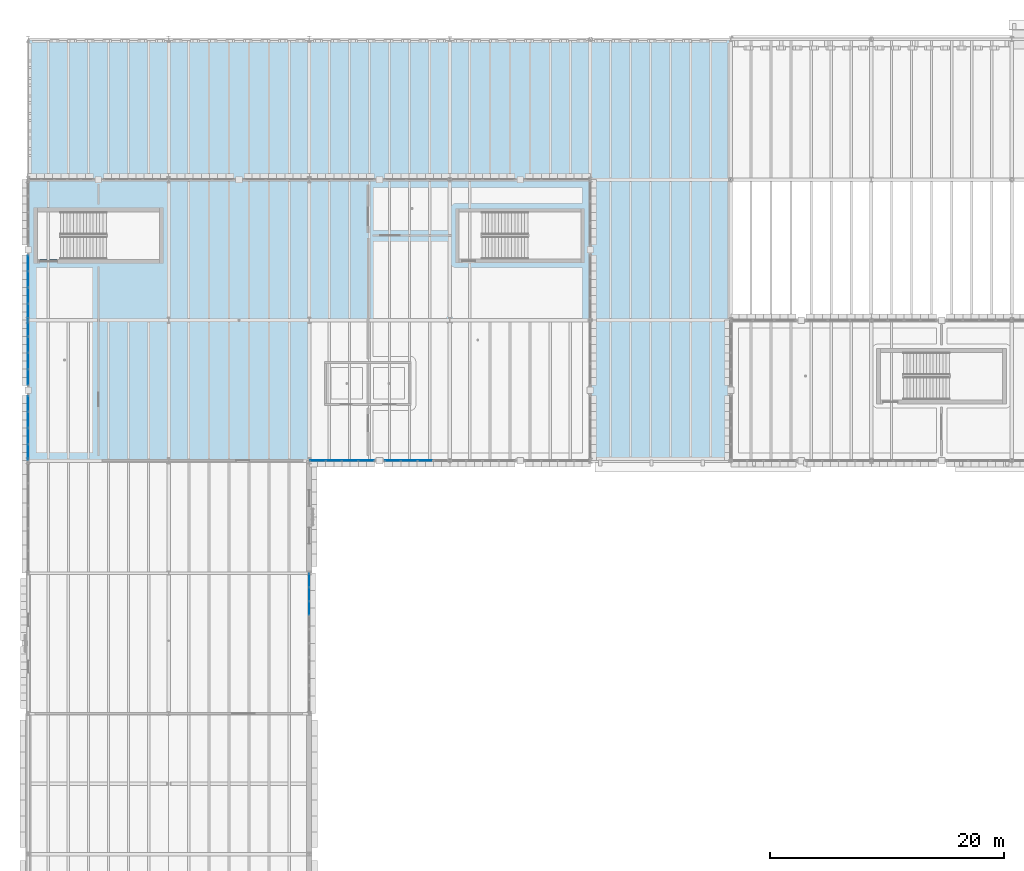
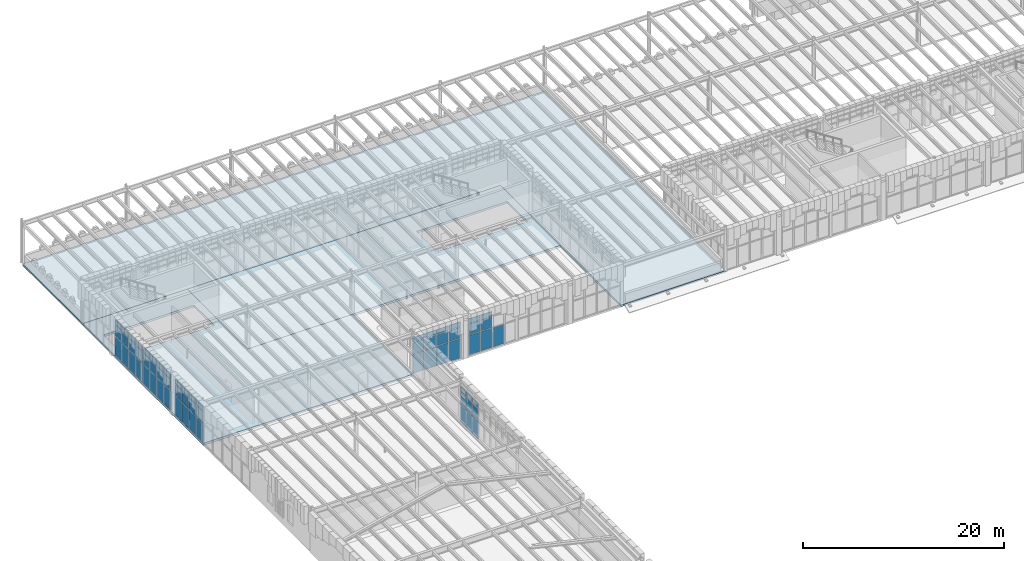
# One storey, part 46 of 100: 64 plates, 3 slabs, 6 elements without a shape of their own.
"""IFC4 building model written with IfcOpenShell, lengths in metres."""

from ifc_helpers import new_model, si_unit, direction, frame, origin, origin_2d, place, context, subcontext, project, spatial, polyline, rectangle, outline, extrude, material, layer, layer_set, type_object, element, aggregate, save


model = new_model("IFC4")

# Units and contexts
model_context = context("Model", 3, precision=1e-05, world=origin(), true_north=direction((0.0, 1.0)))
body_context = subcontext(model_context, "Body", "Model", "MODEL_VIEW")
ifc_project = project(units=[si_unit("LENGTHUNIT", "METRE"), si_unit("AREAUNIT", "SQUARE_METRE"), si_unit("VOLUMEUNIT", "CUBIC_METRE"), si_unit("PLANEANGLEUNIT", "RADIAN"), si_unit("MASSUNIT", "GRAM", prefix="KILO")], contexts=[model_context])

# Site, building, storey
site_placement = place(None, origin())
site = spatial("IfcSite", under=ifc_project, at=site_placement, CompositionType="ELEMENT")
building_placement = place(site_placement, origin())
building = spatial("IfcBuilding", under=site, at=building_placement, Name="Zlatogorsky Bluff Art Gallery", CompositionType="ELEMENT")
storey_placement = place(building_placement, frame((0.0, 0.0, 5.39990234375)))
storey = spatial("IfcBuildingStorey", under=building, at=storey_placement, Name="L01", CompositionType="ELEMENT", Elevation=5.39990234375)

# Curtain wall, plates
ifc_material_1 = material(Name="Anodised Bronze Aluminium and Low-Iron Triple Glazing", Category="aluminium")
ifc_layer_1 = layer(ifc_material_1, 0.179931640625)
ifc_layer_set_1 = layer_set([ifc_layer_1], Name="Curtain Wall CW-01")
curtain_wall_type_1 = type_object("IfcCurtainWallType", Name="Curtain Wall CW-01", PredefinedType="USERDEFINED", material=ifc_layer_set_1)
curtain_wall_1_placement = place(storey_placement, origin())
curtain_wall_1 = element("IfcCurtainWall", 1, at=curtain_wall_1_placement, inside=storey, type_object=curtain_wall_type_1, Name="Unitised curtain wall CW-01 L01 W 0.8-A", ObjectType="CURTAIN WALL", PredefinedType="USERDEFINED")
ifc_material_2 = material(Name="Low-Iron Laminated Triple Glazing", Category="glass")
ifc_layer_2 = layer(ifc_material_2, 0.035888671875)
ifc_layer_set_2 = layer_set([ifc_layer_2], Name="Glazed Curtain Panel CWP-01")
plate_type = type_object("IfcPlateType", Name="Glazed Curtain Panel CWP-01", PredefinedType="CURTAIN_PANEL", material=ifc_layer_set_2)
plate_1_placement = place(storey_placement, frame((0.0, 95.2861328125, 0.065185546875), z_axis=(0.0, 0.0, 1.0), x_axis=(0.0, -1.0, 0.0)))
plate_1 = element("IfcPlate", 2, at=plate_1_placement, type_object=plate_type, Name="CW-01 panel 1.1", PredefinedType="CURTAIN_PANEL", context=body_context, shape_type="SweptSolid", body=[
    extrude(rectangle(XDim=1.297607421875, YDim=0.035888671875, at=origin_2d()), origin(), (0.0, 0.0, 1.0), 2.3525390625),
])
plate_2_placement = place(storey_placement, frame((0.0, 95.2861328125, 2.482666015625), z_axis=(0.0, 0.0, 1.0), x_axis=(0.0, -1.0, 0.0)))
plate_2 = element("IfcPlate", 3, at=plate_2_placement, type_object=plate_type, Name="CW-01 panel 1.2", PredefinedType="CURTAIN_PANEL", context=body_context, shape_type="SweptSolid", body=[
    extrude(rectangle(XDim=1.297607421875, YDim=0.035888671875, at=origin_2d()), origin(), (0.0, 0.0, 1.0), 1.3349609375),
])
plate_3_placement = place(storey_placement, frame((0.0, 95.2861328125, 3.882568359375), z_axis=(0.0, 0.0, 1.0), x_axis=(0.0, -1.0, 0.0)))
plate_3 = element("IfcPlate", 4, at=plate_3_placement, type_object=plate_type, Name="CW-01 panel 1.3", PredefinedType="CURTAIN_PANEL", context=body_context, shape_type="SweptSolid", body=[
    extrude(rectangle(XDim=1.297607421875, YDim=0.035888671875, at=origin_2d()), origin(), (0.0, 0.0, 1.0), 0.58251953125),
])
plate_4_placement = place(storey_placement, frame((0.0, 93.907470703125, 0.065185546875), z_axis=(0.0, 0.0, 1.0), x_axis=(0.0, -1.0, 0.0)))
plate_4 = element("IfcPlate", 5, at=plate_4_placement, type_object=plate_type, Name="CW-01 panel 2.1", PredefinedType="CURTAIN_PANEL", context=body_context, shape_type="SweptSolid", body=[
    extrude(rectangle(XDim=1.330078125, YDim=0.035888671875, at=origin_2d()), origin(), (0.0, 0.0, 1.0), 2.3525390625),
])
plate_5_placement = place(storey_placement, frame((0.0, 93.907470703125, 2.482666015625), z_axis=(0.0, 0.0, 1.0), x_axis=(0.0, -1.0, 0.0)))
plate_5 = element("IfcPlate", 6, at=plate_5_placement, type_object=plate_type, Name="CW-01 panel 2.2", PredefinedType="CURTAIN_PANEL", context=body_context, shape_type="SweptSolid", body=[
    extrude(rectangle(XDim=1.330078125, YDim=0.035888671875, at=origin_2d()), origin(), (0.0, 0.0, 1.0), 1.3349609375),
])
plate_6_placement = place(storey_placement, frame((0.0, 93.907470703125, 3.882568359375), z_axis=(0.0, 0.0, 1.0), x_axis=(0.0, -1.0, 0.0)))
plate_6 = element("IfcPlate", 7, at=plate_6_placement, type_object=plate_type, Name="CW-01 panel 2.3", PredefinedType="CURTAIN_PANEL", context=body_context, shape_type="SweptSolid", body=[
    extrude(rectangle(XDim=1.330078125, YDim=0.035888671875, at=origin_2d()), origin(), (0.0, 0.0, 1.0), 0.58251953125),
])
plate_7_placement = place(storey_placement, frame((0.0, 92.512451171875, 0.065185546875), z_axis=(0.0, 0.0, 1.0), x_axis=(0.0, -1.0, 0.0)))
plate_7 = element("IfcPlate", 8, at=plate_7_placement, type_object=plate_type, Name="CW-01 panel 3.1", PredefinedType="CURTAIN_PANEL", context=body_context, shape_type="SweptSolid", body=[
    extrude(rectangle(XDim=1.330078125, YDim=0.035888671875, at=origin_2d()), origin(), (0.0, 0.0, 1.0), 2.3525390625),
])
plate_8_placement = place(storey_placement, frame((0.0, 92.512451171875, 2.482666015625), z_axis=(0.0, 0.0, 1.0), x_axis=(0.0, -1.0, 0.0)))
plate_8 = element("IfcPlate", 9, at=plate_8_placement, type_object=plate_type, Name="CW-01 panel 3.2", PredefinedType="CURTAIN_PANEL", context=body_context, shape_type="SweptSolid", body=[
    extrude(rectangle(XDim=1.330078125, YDim=0.035888671875, at=origin_2d()), origin(), (0.0, 0.0, 1.0), 1.3349609375),
])
plate_9_placement = place(storey_placement, frame((0.0, 92.512451171875, 3.882568359375), z_axis=(0.0, 0.0, 1.0), x_axis=(0.0, -1.0, 0.0)))
plate_9 = element("IfcPlate", 10, at=plate_9_placement, type_object=plate_type, Name="CW-01 panel 3.3", PredefinedType="CURTAIN_PANEL", context=body_context, shape_type="SweptSolid", body=[
    extrude(rectangle(XDim=1.330078125, YDim=0.035888671875, at=origin_2d()), origin(), (0.0, 0.0, 1.0), 0.58251953125),
])
plate_10_placement = place(storey_placement, frame((0.0, 91.1337890625, 0.065185546875), z_axis=(0.0, 0.0, 1.0), x_axis=(0.0, -1.0, 0.0)))
plate_10 = element("IfcPlate", 11, at=plate_10_placement, type_object=plate_type, Name="CW-01 panel 4.1", PredefinedType="CURTAIN_PANEL", context=body_context, shape_type="SweptSolid", body=[
    extrude(rectangle(XDim=1.297607421875, YDim=0.035888671875, at=origin_2d()), origin(), (0.0, 0.0, 1.0), 2.3525390625),
])
plate_11_placement = place(storey_placement, frame((0.0, 91.1337890625, 2.482666015625), z_axis=(0.0, 0.0, 1.0), x_axis=(0.0, -1.0, 0.0)))
plate_11 = element("IfcPlate", 12, at=plate_11_placement, type_object=plate_type, Name="CW-01 panel 4.2", PredefinedType="CURTAIN_PANEL", context=body_context, shape_type="SweptSolid", body=[
    extrude(rectangle(XDim=1.297607421875, YDim=0.035888671875, at=origin_2d()), origin(), (0.0, 0.0, 1.0), 1.3349609375),
])
plate_12_placement = place(storey_placement, frame((0.0, 91.1337890625, 3.882568359375), z_axis=(0.0, 0.0, 1.0), x_axis=(0.0, -1.0, 0.0)))
plate_12 = element("IfcPlate", 13, at=plate_12_placement, type_object=plate_type, Name="CW-01 panel 4.3", PredefinedType="CURTAIN_PANEL", context=body_context, shape_type="SweptSolid", body=[
    extrude(rectangle(XDim=1.297607421875, YDim=0.035888671875, at=origin_2d()), origin(), (0.0, 0.0, 1.0), 0.58251953125),
])
aggregate(curtain_wall_1, [plate_1, plate_2, plate_3, plate_4, plate_5, plate_6, plate_7, plate_8, plate_9, plate_10, plate_11, plate_12])

curtain_wall_2_placement = place(storey_placement, origin())
curtain_wall_2 = element("IfcCurtainWall", 14, at=curtain_wall_2_placement, inside=storey, type_object=curtain_wall_type_1, Name="Unitised curtain wall CW-01 L01 W 0.8-B", ObjectType="CURTAIN WALL", PredefinedType="USERDEFINED")
plate_13_placement = place(storey_placement, frame((0.0, 88.8662109375, 0.065185546875), z_axis=(0.0, 0.0, 1.0), x_axis=(0.0, -1.0, 0.0)))
plate_13 = element("IfcPlate", 15, at=plate_13_placement, type_object=plate_type, Name="CW-01 panel 1.1", PredefinedType="CURTAIN_PANEL", context=body_context, shape_type="SweptSolid", body=[
    extrude(rectangle(XDim=1.297607421875, YDim=0.035888671875, at=origin_2d()), origin(), (0.0, 0.0, 1.0), 2.3525390625),
])
plate_14_placement = place(storey_placement, frame((0.0, 88.8662109375, 2.482666015625), z_axis=(0.0, 0.0, 1.0), x_axis=(0.0, -1.0, 0.0)))
plate_14 = element("IfcPlate", 16, at=plate_14_placement, type_object=plate_type, Name="CW-01 panel 1.2", PredefinedType="CURTAIN_PANEL", context=body_context, shape_type="SweptSolid", body=[
    extrude(rectangle(XDim=1.297607421875, YDim=0.035888671875, at=origin_2d()), origin(), (0.0, 0.0, 1.0), 1.3349609375),
])
plate_15_placement = place(storey_placement, frame((0.0, 88.8662109375, 3.882568359375), z_axis=(0.0, 0.0, 1.0), x_axis=(0.0, -1.0, 0.0)))
plate_15 = element("IfcPlate", 17, at=plate_15_placement, type_object=plate_type, Name="CW-01 panel 1.3", PredefinedType="CURTAIN_PANEL", context=body_context, shape_type="SweptSolid", body=[
    extrude(rectangle(XDim=1.297607421875, YDim=0.035888671875, at=origin_2d()), origin(), (0.0, 0.0, 1.0), 0.58251953125),
])
plate_16_placement = place(storey_placement, frame((0.0, 87.487548828125, 0.065185546875), z_axis=(0.0, 0.0, 1.0), x_axis=(0.0, -1.0, 0.0)))
plate_16 = element("IfcPlate", 18, at=plate_16_placement, type_object=plate_type, Name="CW-01 panel 2.1", PredefinedType="CURTAIN_PANEL", context=body_context, shape_type="SweptSolid", body=[
    extrude(rectangle(XDim=1.330078125, YDim=0.035888671875, at=origin_2d()), origin(), (0.0, 0.0, 1.0), 2.3525390625),
])
plate_17_placement = place(storey_placement, frame((0.0, 87.487548828125, 2.482666015625), z_axis=(0.0, 0.0, 1.0), x_axis=(0.0, -1.0, 0.0)))
plate_17 = element("IfcPlate", 19, at=plate_17_placement, type_object=plate_type, Name="CW-01 panel 2.2", PredefinedType="CURTAIN_PANEL", context=body_context, shape_type="SweptSolid", body=[
    extrude(rectangle(XDim=1.330078125, YDim=0.035888671875, at=origin_2d()), origin(), (0.0, 0.0, 1.0), 1.3349609375),
])
plate_18_placement = place(storey_placement, frame((0.0, 87.487548828125, 3.882568359375), z_axis=(0.0, 0.0, 1.0), x_axis=(0.0, -1.0, 0.0)))
plate_18 = element("IfcPlate", 20, at=plate_18_placement, type_object=plate_type, Name="CW-01 panel 2.3", PredefinedType="CURTAIN_PANEL", context=body_context, shape_type="SweptSolid", body=[
    extrude(rectangle(XDim=1.330078125, YDim=0.035888671875, at=origin_2d()), origin(), (0.0, 0.0, 1.0), 0.58251953125),
])
plate_19_placement = place(storey_placement, frame((0.0, 86.092529296875, 0.065185546875), z_axis=(0.0, 0.0, 1.0), x_axis=(0.0, -1.0, 0.0)))
plate_19 = element("IfcPlate", 21, at=plate_19_placement, type_object=plate_type, Name="CW-01 panel 3.1", PredefinedType="CURTAIN_PANEL", context=body_context, shape_type="SweptSolid", body=[
    extrude(rectangle(XDim=1.330078125, YDim=0.035888671875, at=origin_2d()), origin(), (0.0, 0.0, 1.0), 2.3525390625),
])
plate_20_placement = place(storey_placement, frame((0.0, 86.092529296875, 2.482666015625), z_axis=(0.0, 0.0, 1.0), x_axis=(0.0, -1.0, 0.0)))
plate_20 = element("IfcPlate", 22, at=plate_20_placement, type_object=plate_type, Name="CW-01 panel 3.2", PredefinedType="CURTAIN_PANEL", context=body_context, shape_type="SweptSolid", body=[
    extrude(rectangle(XDim=1.330078125, YDim=0.035888671875, at=origin_2d()), origin(), (0.0, 0.0, 1.0), 1.3349609375),
])
plate_21_placement = place(storey_placement, frame((0.0, 86.092529296875, 3.882568359375), z_axis=(0.0, 0.0, 1.0), x_axis=(0.0, -1.0, 0.0)))
plate_21 = element("IfcPlate", 23, at=plate_21_placement, type_object=plate_type, Name="CW-01 panel 3.3", PredefinedType="CURTAIN_PANEL", context=body_context, shape_type="SweptSolid", body=[
    extrude(rectangle(XDim=1.330078125, YDim=0.035888671875, at=origin_2d()), origin(), (0.0, 0.0, 1.0), 0.58251953125),
])
plate_22_placement = place(storey_placement, frame((0.0, 84.7138671875, 0.065185546875), z_axis=(0.0, 0.0, 1.0), x_axis=(0.0, -1.0, 0.0)))
plate_22 = element("IfcPlate", 24, at=plate_22_placement, type_object=plate_type, Name="CW-01 panel 4.1", PredefinedType="CURTAIN_PANEL", context=body_context, shape_type="SweptSolid", body=[
    extrude(rectangle(XDim=1.297607421875, YDim=0.035888671875, at=origin_2d()), origin(), (0.0, 0.0, 1.0), 2.3525390625),
])
plate_23_placement = place(storey_placement, frame((0.0, 84.7138671875, 2.482666015625), z_axis=(0.0, 0.0, 1.0), x_axis=(0.0, -1.0, 0.0)))
plate_23 = element("IfcPlate", 25, at=plate_23_placement, type_object=plate_type, Name="CW-01 panel 4.2", PredefinedType="CURTAIN_PANEL", context=body_context, shape_type="SweptSolid", body=[
    extrude(rectangle(XDim=1.297607421875, YDim=0.035888671875, at=origin_2d()), origin(), (0.0, 0.0, 1.0), 1.3349609375),
])
plate_24_placement = place(storey_placement, frame((0.0, 84.7138671875, 3.882568359375), z_axis=(0.0, 0.0, 1.0), x_axis=(0.0, -1.0, 0.0)))
plate_24 = element("IfcPlate", 26, at=plate_24_placement, type_object=plate_type, Name="CW-01 panel 4.3", PredefinedType="CURTAIN_PANEL", context=body_context, shape_type="SweptSolid", body=[
    extrude(rectangle(XDim=1.297607421875, YDim=0.035888671875, at=origin_2d()), origin(), (0.0, 0.0, 1.0), 0.58251953125),
])
aggregate(curtain_wall_2, [plate_13, plate_14, plate_15, plate_16, plate_17, plate_18, plate_19, plate_20, plate_21, plate_22, plate_23, plate_24])

curtain_wall_3_placement = place(storey_placement, origin())
curtain_wall_3 = element("IfcCurtainWall", 27, at=curtain_wall_3_placement, inside=storey, type_object=curtain_wall_type_1, Name="Unitised curtain wall CW-01 L01 W 0.9-B", ObjectType="CURTAIN WALL", PredefinedType="USERDEFINED")
plate_25_placement = place(storey_placement, frame((0.0, 100.8662109375, 0.065185546875), z_axis=(0.0, 0.0, 1.0), x_axis=(0.0, -1.0, 0.0)))
plate_25 = element("IfcPlate", 28, at=plate_25_placement, type_object=plate_type, Name="CW-01 panel 1.1", PredefinedType="CURTAIN_PANEL", context=body_context, shape_type="SweptSolid", body=[
    extrude(rectangle(XDim=1.297607421875, YDim=0.035888671875, at=origin_2d()), origin(), (0.0, 0.0, 1.0), 2.3525390625),
])
plate_26_placement = place(storey_placement, frame((0.0, 100.8662109375, 2.482666015625), z_axis=(0.0, 0.0, 1.0), x_axis=(0.0, -1.0, 0.0)))
plate_26 = element("IfcPlate", 29, at=plate_26_placement, type_object=plate_type, Name="CW-01 panel 1.2", PredefinedType="CURTAIN_PANEL", context=body_context, shape_type="SweptSolid", body=[
    extrude(rectangle(XDim=1.297607421875, YDim=0.035888671875, at=origin_2d()), origin(), (0.0, 0.0, 1.0), 1.3349609375),
])
plate_27_placement = place(storey_placement, frame((0.0, 100.8662109375, 3.882568359375), z_axis=(0.0, 0.0, 1.0), x_axis=(0.0, -1.0, 0.0)))
plate_27 = element("IfcPlate", 30, at=plate_27_placement, type_object=plate_type, Name="CW-01 panel 1.3", PredefinedType="CURTAIN_PANEL", context=body_context, shape_type="SweptSolid", body=[
    extrude(rectangle(XDim=1.297607421875, YDim=0.035888671875, at=origin_2d()), origin(), (0.0, 0.0, 1.0), 0.58251953125),
])
plate_28_placement = place(storey_placement, frame((0.0, 99.487548828125, 0.065185546875), z_axis=(0.0, 0.0, 1.0), x_axis=(0.0, -1.0, 0.0)))
plate_28 = element("IfcPlate", 31, at=plate_28_placement, type_object=plate_type, Name="CW-01 panel 2.1", PredefinedType="CURTAIN_PANEL", context=body_context, shape_type="SweptSolid", body=[
    extrude(rectangle(XDim=1.330078125, YDim=0.035888671875, at=origin_2d()), origin(), (0.0, 0.0, 1.0), 2.3525390625),
])
plate_29_placement = place(storey_placement, frame((0.0, 99.487548828125, 2.482666015625), z_axis=(0.0, 0.0, 1.0), x_axis=(0.0, -1.0, 0.0)))
plate_29 = element("IfcPlate", 32, at=plate_29_placement, type_object=plate_type, Name="CW-01 panel 2.2", PredefinedType="CURTAIN_PANEL", context=body_context, shape_type="SweptSolid", body=[
    extrude(rectangle(XDim=1.330078125, YDim=0.035888671875, at=origin_2d()), origin(), (0.0, 0.0, 1.0), 1.3349609375),
])
plate_30_placement = place(storey_placement, frame((0.0, 99.487548828125, 3.882568359375), z_axis=(0.0, 0.0, 1.0), x_axis=(0.0, -1.0, 0.0)))
plate_30 = element("IfcPlate", 33, at=plate_30_placement, type_object=plate_type, Name="CW-01 panel 2.3", PredefinedType="CURTAIN_PANEL", context=body_context, shape_type="SweptSolid", body=[
    extrude(rectangle(XDim=1.330078125, YDim=0.035888671875, at=origin_2d()), origin(), (0.0, 0.0, 1.0), 0.58251953125),
])
plate_31_placement = place(storey_placement, frame((0.0, 98.092529296875, 0.065185546875), z_axis=(0.0, 0.0, 1.0), x_axis=(0.0, -1.0, 0.0)))
plate_31 = element("IfcPlate", 34, at=plate_31_placement, type_object=plate_type, Name="CW-01 panel 3.1", PredefinedType="CURTAIN_PANEL", context=body_context, shape_type="SweptSolid", body=[
    extrude(rectangle(XDim=1.330078125, YDim=0.035888671875, at=origin_2d()), origin(), (0.0, 0.0, 1.0), 2.3525390625),
])
plate_32_placement = place(storey_placement, frame((0.0, 98.092529296875, 2.482666015625), z_axis=(0.0, 0.0, 1.0), x_axis=(0.0, -1.0, 0.0)))
plate_32 = element("IfcPlate", 35, at=plate_32_placement, type_object=plate_type, Name="CW-01 panel 3.2", PredefinedType="CURTAIN_PANEL", context=body_context, shape_type="SweptSolid", body=[
    extrude(rectangle(XDim=1.330078125, YDim=0.035888671875, at=origin_2d()), origin(), (0.0, 0.0, 1.0), 1.3349609375),
])
plate_33_placement = place(storey_placement, frame((0.0, 98.092529296875, 3.882568359375), z_axis=(0.0, 0.0, 1.0), x_axis=(0.0, -1.0, 0.0)))
plate_33 = element("IfcPlate", 36, at=plate_33_placement, type_object=plate_type, Name="CW-01 panel 3.3", PredefinedType="CURTAIN_PANEL", context=body_context, shape_type="SweptSolid", body=[
    extrude(rectangle(XDim=1.330078125, YDim=0.035888671875, at=origin_2d()), origin(), (0.0, 0.0, 1.0), 0.58251953125),
])
plate_34_placement = place(storey_placement, frame((0.0, 96.7138671875, 0.065185546875), z_axis=(0.0, 0.0, 1.0), x_axis=(0.0, -1.0, 0.0)))
plate_34 = element("IfcPlate", 37, at=plate_34_placement, type_object=plate_type, Name="CW-01 panel 4.1", PredefinedType="CURTAIN_PANEL", context=body_context, shape_type="SweptSolid", body=[
    extrude(rectangle(XDim=1.297607421875, YDim=0.035888671875, at=origin_2d()), origin(), (0.0, 0.0, 1.0), 2.3525390625),
])
plate_35_placement = place(storey_placement, frame((0.0, 96.7138671875, 2.482666015625), z_axis=(0.0, 0.0, 1.0), x_axis=(0.0, -1.0, 0.0)))
plate_35 = element("IfcPlate", 38, at=plate_35_placement, type_object=plate_type, Name="CW-01 panel 4.2", PredefinedType="CURTAIN_PANEL", context=body_context, shape_type="SweptSolid", body=[
    extrude(rectangle(XDim=1.297607421875, YDim=0.035888671875, at=origin_2d()), origin(), (0.0, 0.0, 1.0), 1.3349609375),
])
plate_36_placement = place(storey_placement, frame((0.0, 96.7138671875, 3.882568359375), z_axis=(0.0, 0.0, 1.0), x_axis=(0.0, -1.0, 0.0)))
plate_36 = element("IfcPlate", 39, at=plate_36_placement, type_object=plate_type, Name="CW-01 panel 4.3", PredefinedType="CURTAIN_PANEL", context=body_context, shape_type="SweptSolid", body=[
    extrude(rectangle(XDim=1.297607421875, YDim=0.035888671875, at=origin_2d()), origin(), (0.0, 0.0, 1.0), 0.58251953125),
])
aggregate(curtain_wall_3, [plate_25, plate_26, plate_27, plate_28, plate_29, plate_30, plate_31, plate_32, plate_33, plate_34, plate_35, plate_36])

ifc_layer_3 = layer(ifc_material_1, 0.179931640625)
ifc_layer_set_3 = layer_set([ifc_layer_3], Name="Curtain Wall CW-03")
curtain_wall_type_2 = type_object("IfcCurtainWallType", Name="Curtain Wall CW-03", PredefinedType="USERDEFINED", material=ifc_layer_set_3)
curtain_wall_4_placement = place(storey_placement, origin())
curtain_wall_4 = element("IfcCurtainWall", 40, at=curtain_wall_4_placement, inside=storey, type_object=curtain_wall_type_2, Name="Unitised curtain wall CW-03 L01 E 1.6", ObjectType="CURTAIN WALL", PredefinedType="USERDEFINED")
plate_37_placement = place(storey_placement, frame((24.0, 71.39990234375, 0.065185546875), z_axis=(0.0, 0.0, 1.0), x_axis=(0.0, 1.0, 0.0)))
plate_37 = element("IfcPlate", 41, at=plate_37_placement, type_object=plate_type, Name="CW-03 panel 8.1", PredefinedType="CURTAIN_PANEL", context=body_context, shape_type="SweptSolid", body=[
    extrude(rectangle(XDim=1.135009765625, YDim=0.035888671875, at=origin_2d()), origin(), (0.0, 0.0, 1.0), 2.3525390625),
])
plate_38_placement = place(storey_placement, frame((24.0, 71.39990234375, 2.482666015625), z_axis=(0.0, 0.0, 1.0), x_axis=(0.0, 1.0, 0.0)))
plate_38 = element("IfcPlate", 42, at=plate_38_placement, type_object=plate_type, Name="CW-03 panel 8.2", PredefinedType="CURTAIN_PANEL", context=body_context, shape_type="SweptSolid", body=[
    extrude(rectangle(XDim=1.135009765625, YDim=0.035888671875, at=origin_2d()), origin(), (0.0, 0.0, 1.0), 1.3349609375),
])
plate_39_placement = place(storey_placement, frame((24.0, 71.39990234375, 3.882568359375), z_axis=(0.0, 0.0, 1.0), x_axis=(0.0, 1.0, 0.0)))
plate_39 = element("IfcPlate", 43, at=plate_39_placement, type_object=plate_type, Name="CW-03 panel 8.3", PredefinedType="CURTAIN_PANEL", context=body_context, shape_type="SweptSolid", body=[
    extrude(rectangle(XDim=1.135009765625, YDim=0.035888671875, at=origin_2d()), origin(), (0.0, 0.0, 1.0), 0.58251953125),
])
plate_40_placement = place(storey_placement, frame((24.0, 72.60009765625, 0.065185546875), z_axis=(0.0, 0.0, 1.0), x_axis=(0.0, 1.0, 0.0)))
plate_40 = element("IfcPlate", 44, at=plate_40_placement, type_object=plate_type, Name="CW-03 panel 9.1", PredefinedType="CURTAIN_PANEL", context=body_context, shape_type="SweptSolid", body=[
    extrude(rectangle(XDim=1.135009765625, YDim=0.035888671875, at=origin_2d()), origin(), (0.0, 0.0, 1.0), 2.3525390625),
])
plate_41_placement = place(storey_placement, frame((24.0, 72.60009765625, 2.482666015625), z_axis=(0.0, 0.0, 1.0), x_axis=(0.0, 1.0, 0.0)))
plate_41 = element("IfcPlate", 45, at=plate_41_placement, type_object=plate_type, Name="CW-03 panel 9.2", PredefinedType="CURTAIN_PANEL", context=body_context, shape_type="SweptSolid", body=[
    extrude(rectangle(XDim=1.135009765625, YDim=0.035888671875, at=origin_2d()), origin(), (0.0, 0.0, 1.0), 1.3349609375),
])
plate_42_placement = place(storey_placement, frame((24.0, 72.60009765625, 3.882568359375), z_axis=(0.0, 0.0, 1.0), x_axis=(0.0, 1.0, 0.0)))
plate_42 = element("IfcPlate", 46, at=plate_42_placement, type_object=plate_type, Name="CW-03 panel 9.3", PredefinedType="CURTAIN_PANEL", context=body_context, shape_type="SweptSolid", body=[
    extrude(rectangle(XDim=1.135009765625, YDim=0.035888671875, at=origin_2d()), origin(), (0.0, 0.0, 1.0), 0.58251953125),
])
plate_43_placement = place(storey_placement, frame((24.0, 73.78369140625, 0.065185546875), z_axis=(0.0, 0.0, 1.0), x_axis=(0.0, 1.0, 0.0)))
plate_43 = element("IfcPlate", 47, at=plate_43_placement, type_object=plate_type, Name="CW-03 panel 10.1", PredefinedType="CURTAIN_PANEL", context=body_context, shape_type="SweptSolid", body=[
    extrude(rectangle(XDim=1.1025390625, YDim=0.035888671875, at=origin_2d()), origin(), (0.0, 0.0, 1.0), 2.3525390625),
])
plate_44_placement = place(storey_placement, frame((24.0, 73.78369140625, 2.482666015625), z_axis=(0.0, 0.0, 1.0), x_axis=(0.0, 1.0, 0.0)))
plate_44 = element("IfcPlate", 48, at=plate_44_placement, type_object=plate_type, Name="CW-03 panel 10.2", PredefinedType="CURTAIN_PANEL", context=body_context, shape_type="SweptSolid", body=[
    extrude(rectangle(XDim=1.1025390625, YDim=0.035888671875, at=origin_2d()), origin(), (0.0, 0.0, 1.0), 1.3349609375),
])
plate_45_placement = place(storey_placement, frame((24.0, 73.78369140625, 3.882568359375), z_axis=(0.0, 0.0, 1.0), x_axis=(0.0, 1.0, 0.0)))
plate_45 = element("IfcPlate", 49, at=plate_45_placement, type_object=plate_type, Name="CW-03 panel 10.3", PredefinedType="CURTAIN_PANEL", context=body_context, shape_type="SweptSolid", body=[
    extrude(rectangle(XDim=1.1025390625, YDim=0.035888671875, at=origin_2d()), origin(), (0.0, 0.0, 1.0), 0.58251953125),
])
aggregate(curtain_wall_4, [plate_37, plate_38, plate_39, plate_40, plate_41, plate_42, plate_43, plate_44, plate_45])

ifc_layer_4 = layer(ifc_material_1, 0.199951171875)
ifc_layer_set_4 = layer_set([ifc_layer_4], Name="Curtain Wall CW-02")
curtain_wall_type_3 = type_object("IfcCurtainWallType", Name="Curtain Wall CW-02", PredefinedType="USERDEFINED", material=ifc_layer_set_4)
curtain_wall_5_placement = place(storey_placement, origin())
curtain_wall_5 = element("IfcCurtainWall", 50, at=curtain_wall_5_placement, inside=storey, type_object=curtain_wall_type_3, Name="Unitised curtain wall CW-02 L01 S 2.8-A", ObjectType="CURTAIN WALL", PredefinedType="USERDEFINED")
plate_46_placement = place(storey_placement, frame((24.7138671875, 84.0, 0.065185546875), z_axis=(0.0, 0.0, 1.0), x_axis=(1.0, 0.0, 0.0)))
plate_46 = element("IfcPlate", 51, at=plate_46_placement, type_object=plate_type, Name="CW-02 panel 1.1", PredefinedType="CURTAIN_PANEL", context=body_context, shape_type="SweptSolid", body=[
    extrude(rectangle(XDim=1.297607421875, YDim=0.035888671875, at=origin_2d()), origin(), (0.0, 0.0, 1.0), 2.3525390625),
])
plate_47_placement = place(storey_placement, frame((24.7138671875, 84.0, 2.482666015625), z_axis=(0.0, 0.0, 1.0), x_axis=(1.0, 0.0, 0.0)))
plate_47 = element("IfcPlate", 52, at=plate_47_placement, type_object=plate_type, Name="CW-02 panel 1.2", PredefinedType="CURTAIN_PANEL", context=body_context, shape_type="SweptSolid", body=[
    extrude(rectangle(XDim=1.297607421875, YDim=0.035888671875, at=origin_2d()), origin(), (0.0, 0.0, 1.0), 1.3349609375),
])
plate_48_placement = place(storey_placement, frame((24.7138671875, 84.0, 3.882568359375), z_axis=(0.0, 0.0, 1.0), x_axis=(1.0, 0.0, 0.0)))
plate_48 = element("IfcPlate", 53, at=plate_48_placement, type_object=plate_type, Name="CW-02 panel 1.3", PredefinedType="CURTAIN_PANEL", context=body_context, shape_type="SweptSolid", body=[
    extrude(rectangle(XDim=1.297607421875, YDim=0.035888671875, at=origin_2d()), origin(), (0.0, 0.0, 1.0), 0.58251953125),
])
plate_49_placement = place(storey_placement, frame((26.092529296875, 84.0, 0.065185546875), z_axis=(0.0, 0.0, 1.0), x_axis=(1.0, 0.0, 0.0)))
plate_49 = element("IfcPlate", 54, at=plate_49_placement, type_object=plate_type, Name="CW-02 panel 2.1", PredefinedType="CURTAIN_PANEL", context=body_context, shape_type="SweptSolid", body=[
    extrude(rectangle(XDim=1.330078125, YDim=0.035888671875, at=origin_2d()), origin(), (0.0, 0.0, 1.0), 2.3525390625),
])
plate_50_placement = place(storey_placement, frame((26.092529296875, 84.0, 2.482666015625), z_axis=(0.0, 0.0, 1.0), x_axis=(1.0, 0.0, 0.0)))
plate_50 = element("IfcPlate", 55, at=plate_50_placement, type_object=plate_type, Name="CW-02 panel 2.2", PredefinedType="CURTAIN_PANEL", context=body_context, shape_type="SweptSolid", body=[
    extrude(rectangle(XDim=1.330078125, YDim=0.035888671875, at=origin_2d()), origin(), (0.0, 0.0, 1.0), 1.3349609375),
])
plate_51_placement = place(storey_placement, frame((26.092529296875, 84.0, 3.882568359375), z_axis=(0.0, 0.0, 1.0), x_axis=(1.0, 0.0, 0.0)))
plate_51 = element("IfcPlate", 56, at=plate_51_placement, type_object=plate_type, Name="CW-02 panel 2.3", PredefinedType="CURTAIN_PANEL", context=body_context, shape_type="SweptSolid", body=[
    extrude(rectangle(XDim=1.330078125, YDim=0.035888671875, at=origin_2d()), origin(), (0.0, 0.0, 1.0), 0.58251953125),
])
plate_52_placement = place(storey_placement, frame((27.487548828125, 84.0, 0.065185546875), z_axis=(0.0, 0.0, 1.0), x_axis=(1.0, 0.0, 0.0)))
plate_52 = element("IfcPlate", 57, at=plate_52_placement, type_object=plate_type, Name="CW-02 panel 3.1", PredefinedType="CURTAIN_PANEL", context=body_context, shape_type="SweptSolid", body=[
    extrude(rectangle(XDim=1.330078125, YDim=0.035888671875, at=origin_2d()), origin(), (0.0, 0.0, 1.0), 2.3525390625),
])
plate_53_placement = place(storey_placement, frame((27.487548828125, 84.0, 2.482666015625), z_axis=(0.0, 0.0, 1.0), x_axis=(1.0, 0.0, 0.0)))
plate_53 = element("IfcPlate", 58, at=plate_53_placement, type_object=plate_type, Name="CW-02 panel 3.2", PredefinedType="CURTAIN_PANEL", context=body_context, shape_type="SweptSolid", body=[
    extrude(rectangle(XDim=1.330078125, YDim=0.035888671875, at=origin_2d()), origin(), (0.0, 0.0, 1.0), 1.3349609375),
])
plate_54_placement = place(storey_placement, frame((27.487548828125, 84.0, 3.882568359375), z_axis=(0.0, 0.0, 1.0), x_axis=(1.0, 0.0, 0.0)))
plate_54 = element("IfcPlate", 59, at=plate_54_placement, type_object=plate_type, Name="CW-02 panel 3.3", PredefinedType="CURTAIN_PANEL", context=body_context, shape_type="SweptSolid", body=[
    extrude(rectangle(XDim=1.330078125, YDim=0.035888671875, at=origin_2d()), origin(), (0.0, 0.0, 1.0), 0.58251953125),
])
plate_55_placement = place(storey_placement, frame((28.8662109375, 84.0, 0.065185546875), z_axis=(0.0, 0.0, 1.0), x_axis=(1.0, 0.0, 0.0)))
plate_55 = element("IfcPlate", 60, at=plate_55_placement, type_object=plate_type, Name="CW-02 panel 4.1", PredefinedType="CURTAIN_PANEL", context=body_context, shape_type="SweptSolid", body=[
    extrude(rectangle(XDim=1.297607421875, YDim=0.035888671875, at=origin_2d()), origin(), (0.0, 0.0, 1.0), 2.3525390625),
])
plate_56_placement = place(storey_placement, frame((28.8662109375, 84.0, 2.482666015625), z_axis=(0.0, 0.0, 1.0), x_axis=(1.0, 0.0, 0.0)))
plate_56 = element("IfcPlate", 61, at=plate_56_placement, type_object=plate_type, Name="CW-02 panel 4.2", PredefinedType="CURTAIN_PANEL", context=body_context, shape_type="SweptSolid", body=[
    extrude(rectangle(XDim=1.297607421875, YDim=0.035888671875, at=origin_2d()), origin(), (0.0, 0.0, 1.0), 1.3349609375),
])
plate_57_placement = place(storey_placement, frame((28.8662109375, 84.0, 3.882568359375), z_axis=(0.0, 0.0, 1.0), x_axis=(1.0, 0.0, 0.0)))
plate_57 = element("IfcPlate", 62, at=plate_57_placement, type_object=plate_type, Name="CW-02 panel 4.3", PredefinedType="CURTAIN_PANEL", context=body_context, shape_type="SweptSolid", body=[
    extrude(rectangle(XDim=1.297607421875, YDim=0.035888671875, at=origin_2d()), origin(), (0.0, 0.0, 1.0), 0.58251953125),
])
aggregate(curtain_wall_5, [plate_46, plate_47, plate_48, plate_49, plate_50, plate_51, plate_52, plate_53, plate_54, plate_55, plate_56, plate_57])

curtain_wall_6_placement = place(storey_placement, origin())
curtain_wall_6 = element("IfcCurtainWall", 63, at=curtain_wall_6_placement, inside=storey, type_object=curtain_wall_type_3, Name="Unitised curtain wall CW-02 L01 S 2.8-B", ObjectType="CURTAIN WALL", PredefinedType="USERDEFINED")
plate_58_placement = place(storey_placement, frame((31.1337890625, 84.0, 0.065185546875), z_axis=(0.0, 0.0, 1.0), x_axis=(1.0, 0.0, 0.0)))
plate_58 = element("IfcPlate", 64, at=plate_58_placement, type_object=plate_type, Name="CW-02 panel 1.1", PredefinedType="CURTAIN_PANEL", context=body_context, shape_type="SweptSolid", body=[
    extrude(rectangle(XDim=1.297607421875, YDim=0.035888671875, at=origin_2d()), origin(), (0.0, 0.0, 1.0), 2.3525390625),
])
plate_59_placement = place(storey_placement, frame((31.1337890625, 84.0, 2.482666015625), z_axis=(0.0, 0.0, 1.0), x_axis=(1.0, 0.0, 0.0)))
plate_59 = element("IfcPlate", 65, at=plate_59_placement, type_object=plate_type, Name="CW-02 panel 1.2", PredefinedType="CURTAIN_PANEL", context=body_context, shape_type="SweptSolid", body=[
    extrude(rectangle(XDim=1.297607421875, YDim=0.035888671875, at=origin_2d()), origin(), (0.0, 0.0, 1.0), 1.3349609375),
])
plate_60_placement = place(storey_placement, frame((31.1337890625, 84.0, 3.882568359375), z_axis=(0.0, 0.0, 1.0), x_axis=(1.0, 0.0, 0.0)))
plate_60 = element("IfcPlate", 66, at=plate_60_placement, type_object=plate_type, Name="CW-02 panel 1.3", PredefinedType="CURTAIN_PANEL", context=body_context, shape_type="SweptSolid", body=[
    extrude(rectangle(XDim=1.297607421875, YDim=0.035888671875, at=origin_2d()), origin(), (0.0, 0.0, 1.0), 0.58251953125),
])
plate_61_placement = place(storey_placement, frame((32.512451171875, 84.0, 0.065185546875), z_axis=(0.0, 0.0, 1.0), x_axis=(1.0, 0.0, 0.0)))
plate_61 = element("IfcPlate", 67, at=plate_61_placement, type_object=plate_type, Name="CW-02 panel 2.1", PredefinedType="CURTAIN_PANEL", context=body_context, shape_type="SweptSolid", body=[
    extrude(rectangle(XDim=1.330078125, YDim=0.035888671875, at=origin_2d()), origin(), (0.0, 0.0, 1.0), 2.3525390625),
])
plate_62_placement = place(storey_placement, frame((32.512451171875, 84.0, 2.482666015625), z_axis=(0.0, 0.0, 1.0), x_axis=(1.0, 0.0, 0.0)))
plate_62 = element("IfcPlate", 68, at=plate_62_placement, type_object=plate_type, Name="CW-02 panel 2.2", PredefinedType="CURTAIN_PANEL", context=body_context, shape_type="SweptSolid", body=[
    extrude(rectangle(XDim=1.330078125, YDim=0.035888671875, at=origin_2d()), origin(), (0.0, 0.0, 1.0), 1.3349609375),
])
plate_63_placement = place(storey_placement, frame((32.512451171875, 84.0, 3.882568359375), z_axis=(0.0, 0.0, 1.0), x_axis=(1.0, 0.0, 0.0)))
plate_63 = element("IfcPlate", 69, at=plate_63_placement, type_object=plate_type, Name="CW-02 panel 2.3", PredefinedType="CURTAIN_PANEL", context=body_context, shape_type="SweptSolid", body=[
    extrude(rectangle(XDim=1.330078125, YDim=0.035888671875, at=origin_2d()), origin(), (0.0, 0.0, 1.0), 0.58251953125),
])
plate_64_placement = place(storey_placement, frame((33.907470703125, 84.0, 0.065185546875), z_axis=(0.0, 0.0, 1.0), x_axis=(1.0, 0.0, 0.0)))
plate_64 = element("IfcPlate", 70, at=plate_64_placement, type_object=plate_type, Name="CW-02 panel 3.1", PredefinedType="CURTAIN_PANEL", context=body_context, shape_type="SweptSolid", body=[
    extrude(rectangle(XDim=1.330078125, YDim=0.035888671875, at=origin_2d()), origin(), (0.0, 0.0, 1.0), 2.3525390625),
])
aggregate(curtain_wall_6, [plate_58, plate_59, plate_60, plate_61, plate_62, plate_63, plate_64])

# Slabs
ifc_material_3 = material(Name="Concrete C30/37", Category="concrete")
ifc_layer_5 = layer(ifc_material_3, 0.219970703125)
ifc_layer_set_5 = layer_set([ifc_layer_5], Name="Slab RF-FL1 220mm")
slab_type_1 = type_object("IfcSlabType", Name="Slab RF-FL1 220mm", PredefinedType="ROOF", material=ifc_layer_set_5)
slab_1_placement = place(storey_placement, frame((0.0, 0.0, -0.219970703125)))
element("IfcSlab", 71, at=slab_1_placement, inside=storey, type_object=slab_type_1, Name="L01 flat insulated roof slab 1", PredefinedType="ROOF", context=body_context, shape_type="SweptSolid", body=[
    extrude(outline(polyline([(48.0, 84.0), (48.0, 96.0), (48.0, 108.0), (36.0, 108.0), (24.0, 108.0), (12.0, 108.0), (0.0, 108.0), (0.0, 120.0), (12.0, 120.0), (24.0, 120.0), (36.0, 120.0), (48.0, 120.0), (60.0, 120.0), (60.0, 108.0), (60.0, 96.0), (60.0, 84.0), (48.0, 84.0)])), origin(), (0.0, 0.0, 1.0), 0.219970703125),
])
ifc_layer_6 = layer(ifc_material_3, 0.260009765625)
ifc_layer_set_6 = layer_set([ifc_layer_6], Name="Slab SL-01 260mm")
slab_type_2 = type_object("IfcSlabType", Name="Slab SL-01 260mm", PredefinedType="FLOOR", material=ifc_layer_set_6)
slab_2_placement = place(storey_placement, frame((0.0, 0.0, -0.260009765625)))
element("IfcSlab", 72, at=slab_2_placement, inside=storey, type_object=slab_type_2, Name="L01 structural floor slab panel 03", PredefinedType="FLOOR", context=body_context, shape_type="SweptSolid", body=[
    extrude(outline(polyline([(0.0, 96.0), (0.0, 108.0), (12.0, 108.0), (12.0, 96.0), (24.0, 96.0), (24.0, 84.0), (12.0, 84.0), (0.0, 84.0), (0.0, 96.0)]), holes=[polyline([(11.199951171875, 101.199951171875), (11.199951171875, 105.25), (0.800048828125, 105.25), (0.800048828125, 101.199951171875), (11.199951171875, 101.199951171875)])]), origin(), (0.0, 0.0, 1.0), 0.260009765625),
])
slab_3_placement = place(storey_placement, frame((0.0, 0.0, -0.260009765625)))
element("IfcSlab", 73, at=slab_3_placement, inside=storey, type_object=slab_type_2, Name="L01 structural floor slab panel 06", PredefinedType="FLOOR", context=body_context, shape_type="SweptSolid", body=[
    extrude(outline(polyline([(12.0, 108.0), (24.0, 108.0), (36.0, 108.0), (48.0, 108.0), (48.0, 96.0), (36.0, 96.0), (24.0, 96.0), (12.0, 96.0), (12.0, 108.0)]), holes=[polyline([(47.199951171875, 101.199951171875), (47.199951171875, 105.25), (36.800048828125, 105.25), (36.800048828125, 101.199951171875), (47.199951171875, 101.199951171875)])]), origin(), (0.0, 0.0, 1.0), 0.260009765625),
])

save(model, "model.ifc")
